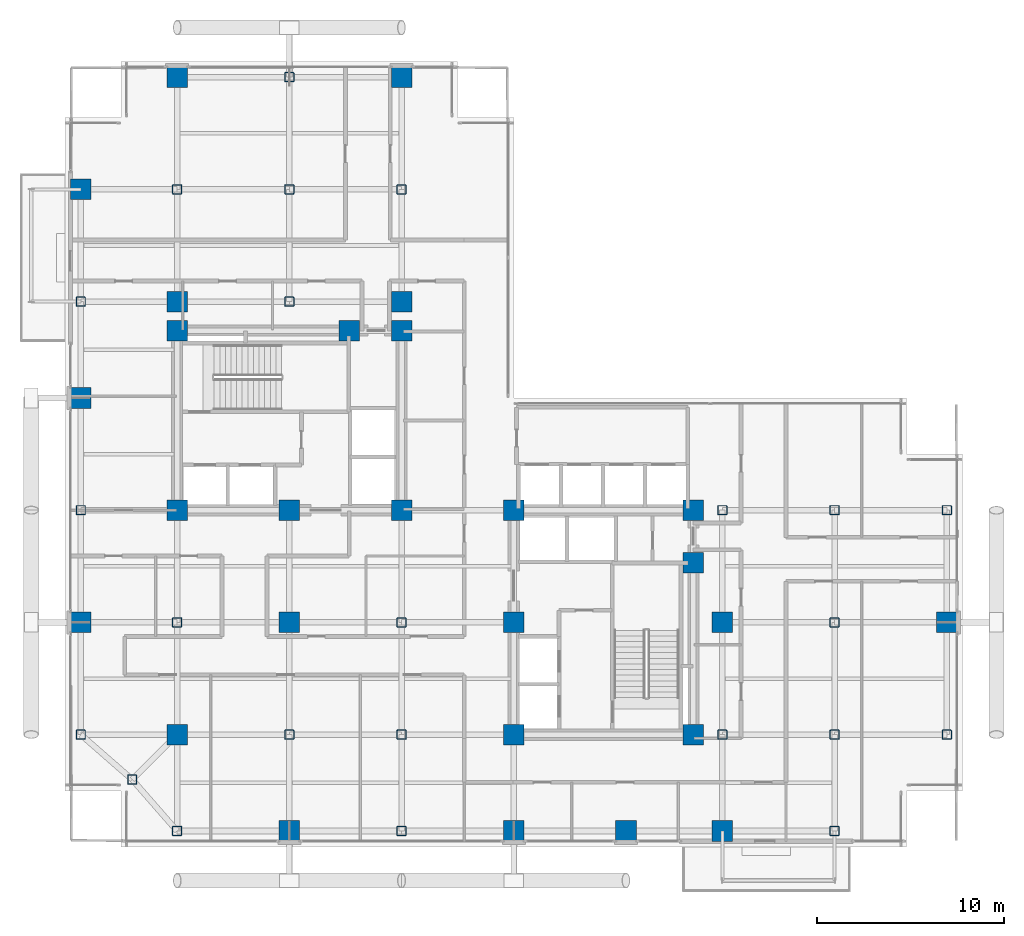
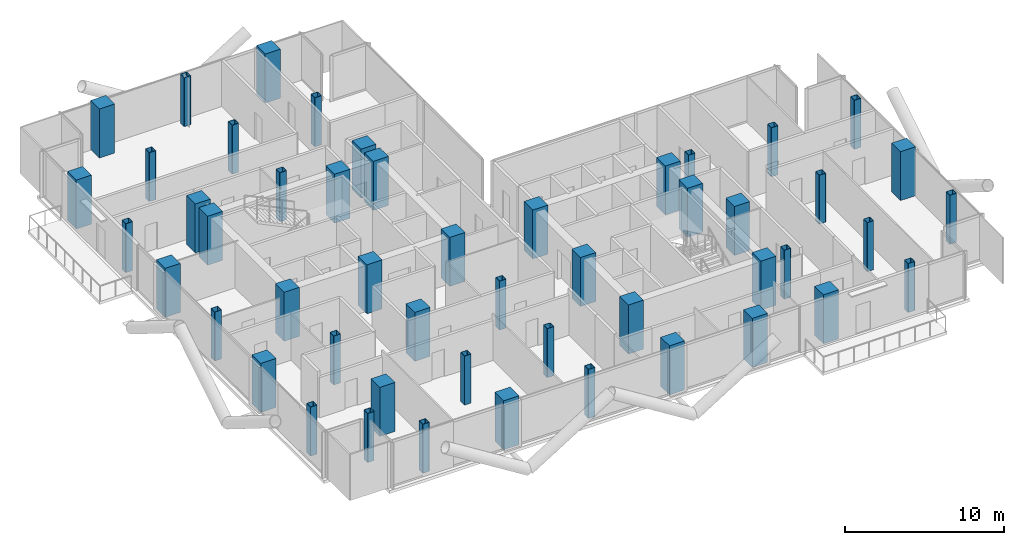
# One storey, part 1 of 28: 50 columns.
"""IFC4 building model written with IfcOpenShell, lengths in metres."""

from ifc_helpers import new_model, si_unit, direction, frame, origin, origin_2d, place, context, subcontext, project, spatial, rectangle, hollow_rectangle, extrude, material, material_profile, profile_set, type_object, element, save


model = new_model("IFC4")

# Units and contexts
model_context = context("Model", 3, precision=1e-05, world=origin(), true_north=direction((0.0, 1.0)))
body_context = subcontext(model_context, "Body", "Model", "MODEL_VIEW")
ifc_project = project(units=[si_unit("LENGTHUNIT", "METRE"), si_unit("AREAUNIT", "SQUARE_METRE"), si_unit("VOLUMEUNIT", "CUBIC_METRE"), si_unit("PLANEANGLEUNIT", "RADIAN"), si_unit("MASSUNIT", "GRAM", prefix="KILO"), si_unit("THERMODYNAMICTEMPERATUREUNIT", "KELVIN"), si_unit("POWERUNIT", "WATT")], contexts=[model_context])

# Site, building, storey
site_placement = place(None, origin())
site = spatial("IfcSite", under=ifc_project, at=site_placement, CompositionType="ELEMENT")
building_placement = place(site_placement, origin())
building = spatial("IfcBuilding", under=site, at=building_placement, Name="Svarakhadi Broadcast Tower", CompositionType="ELEMENT")
storey_placement = place(building_placement, frame((0.0, 0.0, 138.14990234375)))
storey = spatial("IfcBuildingStorey", under=building, at=storey_placement, Name="L33", CompositionType="ELEMENT", Elevation=138.14990234375)

# Columns
ifc_material_1 = material(Name="Concrete C50/60 (IS 456 M60)", Category="concrete")
ifc_material_profile_1 = material_profile(ifc_material_1, rectangle(XDim=1.10009765625, YDim=1.10009765625, at=origin_2d()), Name="RC 1100x1100")
ifc_profile_set_1 = profile_set([ifc_material_profile_1], Name="Concrete C50/60 (IS 456 M60)")
column_type_1 = type_object("IfcColumnType", Name="Col_RC1100", PredefinedType="COLUMN", material=ifc_profile_set_1)
for number, where, z_axis, x_axis, name in (
    (1, (6.0, 18.0, 0.0), (0.0, 0.0, 1.0), (1.0, 0.0, 0.0), "L33 Column CW1"),
    (2, (12.0, 18.0, 0.0), (0.0, 0.0, 1.0), (1.0, 0.0, 0.0), "L33 Column CW2"),
    (3, (18.0, 18.0, 0.0), (0.0, 0.0, 1.0), (1.0, 0.0, 0.0), "L33 Column CW3"),
    (4, (6.0, 27.60009765625, 0.0), (0.0, 0.0, 1.0), (1.0, 0.0, 0.0), "L33 Column CW4"),
    (5, (15.199951171875, 27.60009765625, 0.0), (0.0, 0.0, 1.0), (1.0, 0.0, 0.0), "L33 Column CW5"),
    (6, (18.0, 27.60009765625, 0.0), (0.0, 0.0, 1.0), (1.0, 0.0, 0.0), "L33 Column CW6"),
    (7, (24.0, 6.0, 0.0), (0.0, 0.0, 1.0), (1.0, 0.0, 0.0), "L33 Column CE1"),
    (8, (24.0, 12.0, 0.0), (0.0, 0.0, 1.0), (1.0, 0.0, 0.0), "L33 Column CE2"),
    (9, (24.0, 18.0, 0.0), (0.0, 0.0, 1.0), (1.0, 0.0, 0.0), "L33 Column CE3"),
    (10, (33.60009765625, 6.0, 0.0), (0.0, 0.0, 1.0), (1.0, 0.0, 0.0), "L33 Column CE4"),
    (11, (33.60009765625, 15.199951171875, 0.0), (0.0, 0.0, 1.0), (1.0, 0.0, 0.0), "L33 Column CE5"),
    (12, (33.60009765625, 18.0, 0.0), (0.0, 0.0, 1.0), (1.0, 0.0, 0.0), "L33 Column CE6"),
    (13, (0.85009765625, 12.0, 0.0), (0.0, 0.0, 1.0), (1.0, 0.0, 0.0), "L33 Column G04"),
    (14, (0.85009765625, 24.0, 0.0), (0.0, 0.0, 1.0), (1.0, 0.0, 0.0), "L33 Column G06"),
    (15, (0.85009765625, 35.14990234375, 0.0), (0.0, 0.0, 1.0), (1.0, 0.0, 0.0), "L33 Column G08"),
    (16, (6.0, 6.0, 0.0), (0.0, 0.0, 1.0), (1.0, 0.0, 0.0), "L33 Column G12"),
    (17, (6.0, 29.14990234375, 0.0), (0.0, 0.0, 1.0), (1.0, 0.0, 0.0), "L33 Column G14"),
    (18, (6.0, 41.14990234375, 0.0), (0.0, 0.0, 1.0), (1.0, 0.0, 0.0), "L33 Column G16"),
    (19, (12.0, 0.85009765625, 0.0), (0.0, 0.0, 1.0), (1.0, 0.0, 0.0), "L33 Column G18"),
    (20, (12.0, 12.0, 0.0), (0.0, 0.0, 1.0), (1.0, 0.0, 0.0), "L33 Column G20"),
    (21, (18.0, 29.14990234375, 0.0), (0.0, 0.0, 1.0), (1.0, 0.0, 0.0), "L33 Column G28"),
    (22, (18.0, 41.14990234375, 0.0), (0.0, 0.0, 1.0), (1.0, 0.0, 0.0), "L33 Column G30"),
    (23, (24.0, 0.85009765625, 0.0), (0.0, 0.0, 1.0), (1.0, 0.0, 0.0), "L33 Column G32"),
    (24, (30.0, 0.85009765625, 0.0), (0.0, 0.0, 1.0), (1.0, 0.0, 0.0), "L33 Column G36"),
    (25, (35.14990234375, 0.85009765625, 0.0), (0.0, 0.0, 1.0), (1.0, 0.0, 0.0), "L33 Column G38"),
    (26, (35.14990234375, 12.0, 0.0), (0.0, 0.0, 1.0), (1.0, 0.0, 0.0), "L33 Column G40"),
    (27, (47.14990234375, 12.0, 0.0), (0.0, 0.0, 1.0), (1.0, 0.0, 0.0), "L33 Column G52"),
):
    element("IfcColumn", number, at=place(storey_placement, frame(where, z_axis=z_axis, x_axis=x_axis)), inside=storey, type_object=column_type_1, Name=name, PredefinedType="COLUMN", context=body_context, shape_type="SweptSolid", body=[
        extrude(rectangle(XDim=1.10009765625, YDim=1.10009765625, at=origin_2d()), origin(), (0.0, 0.0, 1.0), 3.75),
    ])
ifc_material_2 = material(Name="Steel S460ML (IS 2062 E450BR)", Category="steel")
ifc_material_profile_2 = material_profile(ifc_material_2, hollow_rectangle(XDim=0.5, YDim=0.5, WallThickness=0.02490234375, InnerFilletRadius=0.02490234375, OuterFilletRadius=0.0400390625, at=origin_2d()), Name="SHS 500x500x25")
ifc_profile_set_2 = profile_set([ifc_material_profile_2], Name="Steel S460ML (IS 2062 E450BR)")
column_type_2 = type_object("IfcColumnType", Name="Col_SHS500", PredefinedType="COLUMN", material=ifc_profile_set_2)
for number, where, z_axis, x_axis, name in (
    (28, (3.60009765625, 3.60009765625, 0.0), (0.0, 0.0, 1.0), (1.0, 0.0, 0.0), "L33 Column G01"),
    (29, (0.85009765625, 6.0, 0.0), (0.0, 0.0, 1.0), (1.0, 0.0, 0.0), "L33 Column G03"),
    (30, (0.85009765625, 18.0, 0.0), (0.0, 0.0, 1.0), (1.0, 0.0, 0.0), "L33 Column G05"),
    (31, (0.85009765625, 29.14990234375, 0.0), (0.0, 0.0, 1.0), (1.0, 0.0, 0.0), "L33 Column G07"),
    (32, (6.0, 0.85009765625, 0.0), (0.0, 0.0, 1.0), (1.0, 0.0, 0.0), "L33 Column G11"),
    (33, (6.0, 12.0, 0.0), (0.0, 0.0, 1.0), (1.0, 0.0, 0.0), "L33 Column G13"),
    (34, (6.0, 35.14990234375, 0.0), (0.0, 0.0, 1.0), (1.0, 0.0, 0.0), "L33 Column G15"),
    (35, (12.0, 6.0, 0.0), (0.0, 0.0, 1.0), (1.0, 0.0, 0.0), "L33 Column G19"),
    (36, (12.0, 29.14990234375, 0.0), (0.0, 0.0, 1.0), (1.0, 0.0, 0.0), "L33 Column G21"),
    (37, (12.0, 35.14990234375, 0.0), (0.0, 0.0, 1.0), (1.0, 0.0, 0.0), "L33 Column G22"),
    (38, (12.0, 41.14990234375, 0.0), (0.0, 0.0, 1.0), (1.0, 0.0, 0.0), "L33 Column G23"),
    (39, (18.0, 0.85009765625, 0.0), (0.0, 0.0, 1.0), (1.0, 0.0, 0.0), "L33 Column G25"),
    (40, (18.0, 6.0, 0.0), (0.0, 0.0, 1.0), (1.0, 0.0, 0.0), "L33 Column G26"),
    (41, (18.0, 12.0, 0.0), (0.0, 0.0, 1.0), (1.0, 0.0, 0.0), "L33 Column G27"),
    (42, (18.0, 35.14990234375, 0.0), (0.0, 0.0, 1.0), (1.0, 0.0, 0.0), "L33 Column G29"),
    (43, (35.14990234375, 6.0, 0.0), (0.0, 0.0, 1.0), (1.0, 0.0, 0.0), "L33 Column G39"),
    (44, (35.14990234375, 18.0, 0.0), (0.0, 0.0, 1.0), (1.0, 0.0, 0.0), "L33 Column G41"),
    (45, (41.14990234375, 0.85009765625, 0.0), (0.0, 0.0, 1.0), (1.0, 0.0, 0.0), "L33 Column G43"),
    (46, (41.14990234375, 6.0, 0.0), (0.0, 0.0, 1.0), (1.0, 0.0, 0.0), "L33 Column G44"),
    (47, (41.14990234375, 12.0, 0.0), (0.0, 0.0, 1.0), (1.0, 0.0, 0.0), "L33 Column G45"),
    (48, (41.14990234375, 18.0, 0.0), (0.0, 0.0, 1.0), (1.0, 0.0, 0.0), "L33 Column G46"),
    (49, (47.14990234375, 6.0, 0.0), (0.0, 0.0, 1.0), (1.0, 0.0, 0.0), "L33 Column G51"),
    (50, (47.14990234375, 18.0, 0.0), (0.0, 0.0, 1.0), (1.0, 0.0, 0.0), "L33 Column G53"),
):
    element("IfcColumn", number, at=place(storey_placement, frame(where, z_axis=z_axis, x_axis=x_axis)), inside=storey, type_object=column_type_2, Name=name, PredefinedType="COLUMN", context=body_context, shape_type="SweptSolid", body=[
        extrude(hollow_rectangle(XDim=0.5, YDim=0.5, WallThickness=0.02490234375, InnerFilletRadius=0.02490234375, OuterFilletRadius=0.0400390625, at=origin_2d()), origin(), (0.0, 0.0, 1.0), 3.75),
    ])

save(model, "model.ifc")
